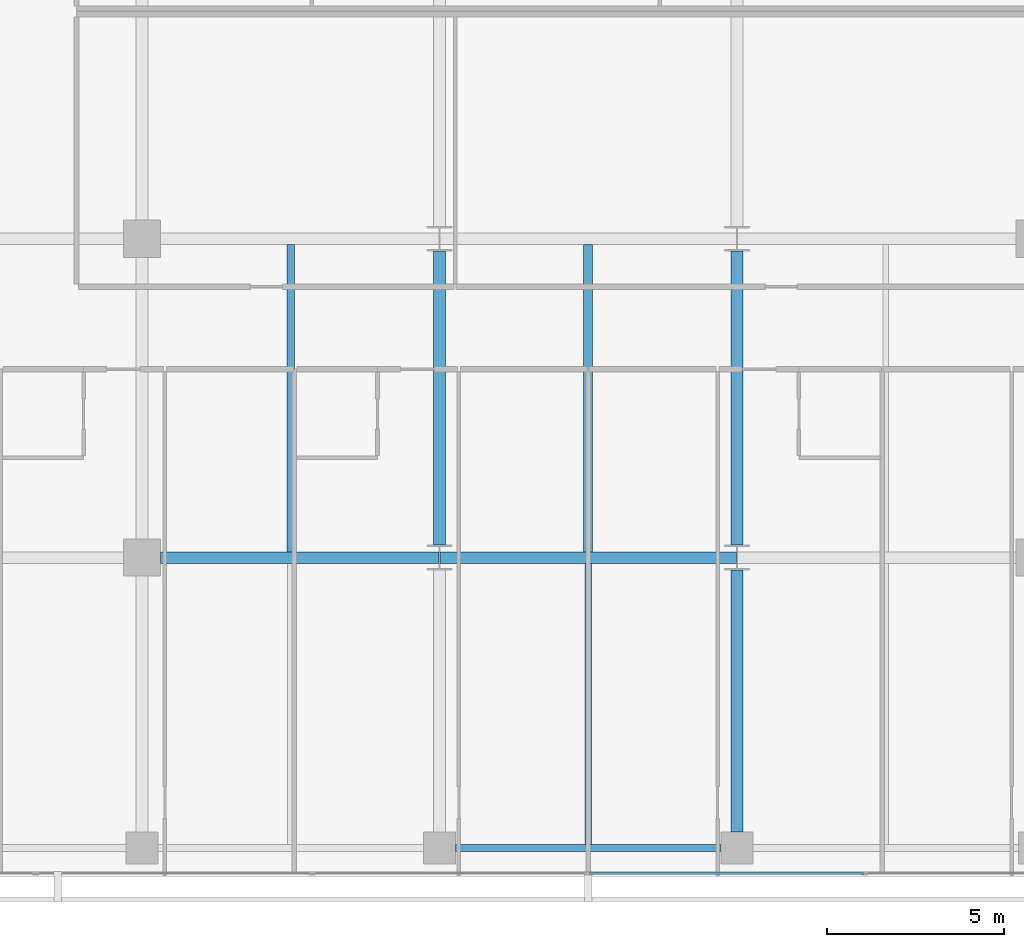
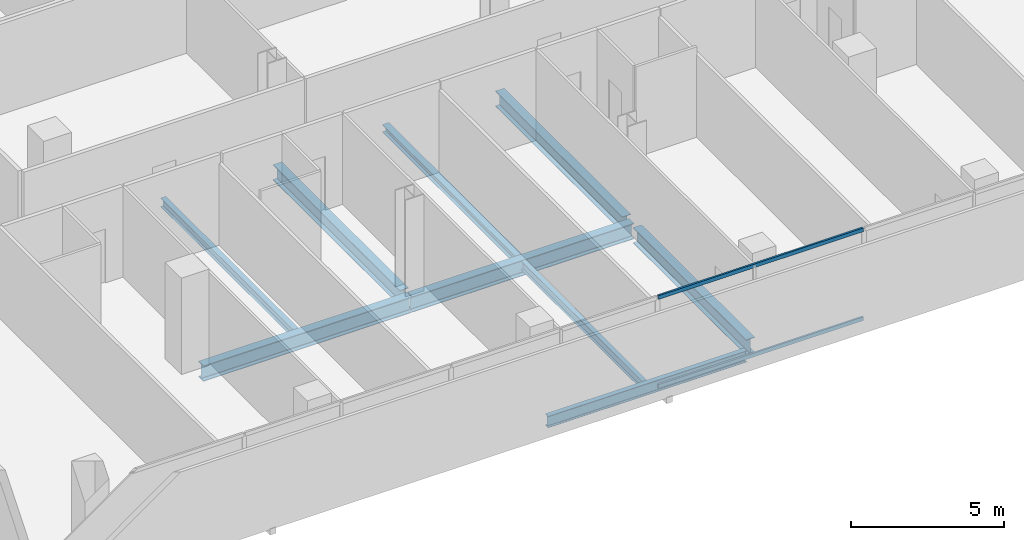
# One storey, part 9 of 39: 9 beams, 2 members, 1 element without a shape of its own.
"""IFC4 building model written with IfcOpenShell, lengths in metres."""

from ifc_helpers import new_model, si_unit, direction, frame, origin, origin_2d, place, context, subcontext, project, spatial, hollow_rectangle, i_section, extrude, material, layer, layer_set, material_profile, profile_set, type_object, element, aggregate, save


model = new_model("IFC4")

# Units and contexts
model_context = context("Model", 3, precision=1e-05, world=origin(), true_north=direction((0.0, 1.0)))
body_context = subcontext(model_context, "Body", "Model", "MODEL_VIEW")
ifc_project = project(units=[si_unit("LENGTHUNIT", "METRE"), si_unit("AREAUNIT", "SQUARE_METRE"), si_unit("VOLUMEUNIT", "CUBIC_METRE"), si_unit("PLANEANGLEUNIT", "RADIAN"), si_unit("MASSUNIT", "GRAM", prefix="KILO")], contexts=[model_context])

# Site, building, storey
site_placement = place(None, origin())
site = spatial("IfcSite", under=ifc_project, at=site_placement, CompositionType="ELEMENT")
building_placement = place(site_placement, origin())
building = spatial("IfcBuilding", under=site, at=building_placement, Name="Maruvema Waterfront Hotel and Observation Tower", CompositionType="ELEMENT")
storey_placement = place(building_placement, frame((0.0, 0.0, 46.199951171875)))
storey = spatial("IfcBuildingStorey", under=building, at=storey_placement, Name="L10", CompositionType="ELEMENT", Elevation=46.199951171875)

# Curtain wall, members
ifc_material_1 = material(Name="Anodised bronze aluminium and solar-control low-E IGU", Category="aluminium")
ifc_layer = layer(ifc_material_1, 0.159912109375, Name="Zone 1 Bronze Inner Thermal Curtain Wall System CW-02")
ifc_layer_set = layer_set([ifc_layer], Name="Anodised bronze aluminium and solar-control low-E IGU")
curtain_wall_type = type_object("IfcCurtainWallType", Name="Zone 1 Bronze Inner Thermal Curtain Wall System CW-02", PredefinedType="USERDEFINED", material=ifc_layer_set)
curtain_wall_placement = place(storey_placement, origin())
curtain_wall = element("IfcCurtainWall", 1, at=curtain_wall_placement, inside=storey, type_object=curtain_wall_type, Name="L10 Curtain Wall CW-L10-S", ObjectType="UNITISED CURTAIN WALL", PredefinedType="USERDEFINED")
ifc_material_2 = material(Name="Anodised architectural bronze aluminium", Category="aluminium")
ifc_material_profile_1 = material_profile(ifc_material_2, hollow_rectangle(XDim=0.070068359375, YDim=0.14990234375, WallThickness=0.00390625, at=origin_2d()), Name="ALU-T70x150")
ifc_profile_set_1 = profile_set([ifc_material_profile_1], Name="Anodised architectural bronze aluminium")
member_type = type_object("IfcMemberType", Name="Curtain Wall Horizontal Transom ALU-T70x150", PredefinedType="USERDEFINED", material=ifc_profile_set_1)
member_1_placement = place(storey_placement, frame((37.830078125, 0.080078125, 0.030029296875), z_axis=(1.0, 0.0, 0.0), x_axis=(0.0, 1.0, 0.0)))
member_1 = element("IfcMember", 2, at=member_1_placement, type_object=member_type, Name="CW-02 transom 4.1", ObjectType="TRANSOM", PredefinedType="USERDEFINED", context=body_context, shape_type="SweptSolid", body=[
    extrude(hollow_rectangle(XDim=0.070068359375, YDim=0.14990234375, WallThickness=0.00390625, at=origin_2d()), origin(), (0.0, 0.0, 1.0), 7.739990234375),
])
member_2_placement = place(storey_placement, frame((37.830078125, 0.080078125, 3.580078125), z_axis=(1.0, 0.0, 0.0), x_axis=(0.0, 1.0, 0.0)))
member_2 = element("IfcMember", 3, at=member_2_placement, type_object=member_type, Name="CW-02 transom 4.2", ObjectType="TRANSOM", PredefinedType="USERDEFINED", context=body_context, shape_type="SweptSolid", body=[
    extrude(hollow_rectangle(XDim=0.070068359375, YDim=0.14990234375, WallThickness=0.00390625, at=origin_2d()), origin(), (0.0, 0.0, 1.0), 7.739990234375),
])
aggregate(curtain_wall, [member_1, member_2])

# Beams
ifc_material_3 = material(Name="Steel ASTM A572 Grade 50", Category="steel")
ifc_material_profile_2 = material_profile(ifc_material_3, i_section(OverallWidth=0.18994140625, OverallDepth=0.45703125, WebThickness=0.009033203125, FlangeThickness=0.014404296875, FilletRadius=0.014892578125, at=origin_2d()), Name="W460x74.0")
ifc_profile_set_2 = profile_set([ifc_material_profile_2], Name="Steel ASTM A572 Grade 50")
beam_type_1 = type_object("IfcBeamType", Name="Perimeter Spandrel Beam W460x74.0", PredefinedType="SPANDREL", material=ifc_profile_set_2)
beam_1_placement = place(storey_placement, frame((34.050048828125, 0.800048828125, -0.468505859375), z_axis=(1.0, 0.0, 0.0), x_axis=(0.0, 1.0, 0.0)))
element("IfcBeam", 4, at=beam_1_placement, inside=storey, type_object=beam_type_1, Name="L10 Floor Girder EW-03", PredefinedType="SPANDREL", context=body_context, shape_type="SweptSolid", body=[
    extrude(i_section(OverallWidth=0.18994140625, OverallDepth=0.45703125, WebThickness=0.009033203125, FlangeThickness=0.014404296875, FilletRadius=0.014892578125, at=origin_2d()), origin(), (0.0, 0.0, 1.0), 7.5),
])
ifc_material_4 = material(Name="Steel ASTM A572 Grade 50", Category="steel")
ifc_material_profile_3 = material_profile(ifc_material_4, i_section(OverallWidth=0.326904296875, OverallDepth=0.6220703125, WebThickness=0.015380859375, FlangeThickness=0.0244140625, FilletRadius=0.01806640625, at=origin_2d()), Name="W610x195.0")
ifc_profile_set_3 = profile_set([ifc_material_profile_3], Name="Steel ASTM A572 Grade 50")
beam_type_2 = type_object("IfcBeamType", Name="Primary Floor Girder W610x195.0", PredefinedType="BEAM", material=ifc_profile_set_3)
beam_2_placement = place(storey_placement, frame((25.72509765625, 9.0, -0.551025390625), z_axis=(1.0, 0.0, 0.0), x_axis=(0.0, 1.0, 0.0)))
element("IfcBeam", 5, at=beam_2_placement, inside=storey, type_object=beam_type_2, Name="L10 Floor Girder EW-08", PredefinedType="BEAM", context=body_context, shape_type="SweptSolid", body=[
    extrude(i_section(OverallWidth=0.326904296875, OverallDepth=0.6220703125, WebThickness=0.015380859375, FlangeThickness=0.0244140625, FilletRadius=0.01806640625, at=origin_2d()), origin(), (0.0, 0.0, 1.0), 7.86083984375),
])
beam_3_placement = place(storey_placement, frame((33.614013671875, 9.0, -0.551025390625), z_axis=(1.0, 0.0, 0.0), x_axis=(0.0, 1.0, 0.0)))
element("IfcBeam", 6, at=beam_3_placement, inside=storey, type_object=beam_type_2, Name="L10 Floor Girder EW-09", PredefinedType="BEAM", context=body_context, shape_type="SweptSolid", body=[
    extrude(i_section(OverallWidth=0.326904296875, OverallDepth=0.6220703125, WebThickness=0.015380859375, FlangeThickness=0.0244140625, FilletRadius=0.01806640625, at=origin_2d()), origin(), (0.0, 0.0, 1.0), 8.3720703125),
])
beam_4_placement = place(storey_placement, frame((33.60009765625, 9.35009765625, -0.551025390625), z_axis=(0.0, 1.0, 0.0), x_axis=(-1.0, 0.0, 0.0)))
element("IfcBeam", 7, at=beam_4_placement, inside=storey, type_object=beam_type_2, Name="L10 Floor Girder NS-17", PredefinedType="BEAM", context=body_context, shape_type="SweptSolid", body=[
    extrude(i_section(OverallWidth=0.326904296875, OverallDepth=0.6220703125, WebThickness=0.015380859375, FlangeThickness=0.0244140625, FilletRadius=0.01806640625, at=origin_2d()), origin(), (0.0, 0.0, 1.0), 8.2998046875),
])
beam_5_placement = place(storey_placement, frame((42.0, 1.25, -0.551025390625), z_axis=(0.0, 1.0, 0.0), x_axis=(-1.0, 0.0, 0.0)))
element("IfcBeam", 8, at=beam_5_placement, inside=storey, type_object=beam_type_2, Name="L10 Floor Girder NS-19", PredefinedType="BEAM", context=body_context, shape_type="SweptSolid", body=[
    extrude(i_section(OverallWidth=0.326904296875, OverallDepth=0.6220703125, WebThickness=0.015380859375, FlangeThickness=0.0244140625, FilletRadius=0.01806640625, at=origin_2d()), origin(), (0.0, 0.0, 1.0), 7.39990234375),
])
beam_6_placement = place(storey_placement, frame((42.0, 9.35009765625, -0.551025390625), z_axis=(0.0, 1.0, 0.0), x_axis=(-1.0, 0.0, 0.0)))
element("IfcBeam", 9, at=beam_6_placement, inside=storey, type_object=beam_type_2, Name="L10 Floor Girder NS-20", PredefinedType="BEAM", context=body_context, shape_type="SweptSolid", body=[
    extrude(i_section(OverallWidth=0.326904296875, OverallDepth=0.6220703125, WebThickness=0.015380859375, FlangeThickness=0.0244140625, FilletRadius=0.01806640625, at=origin_2d()), origin(), (0.0, 0.0, 1.0), 8.2998046875),
])
ifc_material_5 = material(Name="Steel ASTM A572 Grade 50", Category="steel")
ifc_material_profile_4 = material_profile(ifc_material_5, i_section(OverallWidth=0.25390625, OverallDepth=0.305908203125, WebThickness=0.0087890625, FlangeThickness=0.0146484375, FilletRadius=0.014892578125, at=origin_2d()), Name="W310x79.0")
ifc_profile_set_4 = profile_set([ifc_material_profile_4], Name="Steel ASTM A572 Grade 50")
beam_type_3 = type_object("IfcBeamType", Name="Secondary Floor Joist W310x79.0", PredefinedType="JOIST", material=ifc_profile_set_4)
beam_7_placement = place(storey_placement, frame((37.800048828125, 9.16357421875, -0.39306640625), z_axis=(0.0, 1.0, 0.0), x_axis=(-1.0, 0.0, 0.0)))
element("IfcBeam", 10, at=beam_7_placement, inside=storey, type_object=beam_type_3, Name="L10 Secondary Floor Joist JS-13", PredefinedType="JOIST", context=body_context, shape_type="SweptSolid", body=[
    extrude(i_section(OverallWidth=0.25390625, OverallDepth=0.305908203125, WebThickness=0.0087890625, FlangeThickness=0.0146484375, FilletRadius=0.014892578125, at=origin_2d()), origin(), (0.0, 0.0, 1.0), 8.6728515625),
])
ifc_material_6 = material(Name="Steel ASTM A572 Grade 50", Category="steel")
ifc_material_profile_5 = material_profile(ifc_material_6, i_section(OverallWidth=0.1708984375, OverallDepth=0.35498046875, WebThickness=0.007080078125, FlangeThickness=0.01171875, FilletRadius=0.014892578125, at=origin_2d()), Name="W360x51.0")
ifc_profile_set_5 = profile_set([ifc_material_profile_5], Name="Steel ASTM A572 Grade 50")
beam_type_4 = type_object("IfcBeamType", Name="Secondary Floor Joist W360x51.0", PredefinedType="JOIST", material=ifc_profile_set_5)
beam_8_placement = place(storey_placement, frame((37.800048828125, 0.89501953125, -0.41748046875), z_axis=(0.0, 1.0, 0.0), x_axis=(-1.0, 0.0, 0.0)))
element("IfcBeam", 11, at=beam_8_placement, inside=storey, type_object=beam_type_4, Name="L10 Secondary Floor Joist JS-12", PredefinedType="JOIST", context=body_context, shape_type="SweptSolid", body=[
    extrude(i_section(OverallWidth=0.1708984375, OverallDepth=0.35498046875, WebThickness=0.007080078125, FlangeThickness=0.01171875, FilletRadius=0.014892578125, at=origin_2d()), origin(), (0.0, 0.0, 1.0), 7.94140625),
])
ifc_material_7 = material(Name="Steel ASTM A572 Grade 50", Category="steel")
ifc_material_profile_6 = material_profile(ifc_material_7, i_section(OverallWidth=0.202880859375, OverallDepth=0.346923828125, WebThickness=0.0078125, FlangeThickness=0.013427734375, FilletRadius=0.014892578125, at=origin_2d()), Name="W360x64.0")
ifc_profile_set_6 = profile_set([ifc_material_profile_6], Name="Steel ASTM A572 Grade 50")
beam_type_5 = type_object("IfcBeamType", Name="Secondary Floor Joist W360x64.0", PredefinedType="JOIST", material=ifc_profile_set_6)
beam_9_placement = place(storey_placement, frame((29.39990234375, 9.16357421875, -0.413330078125), z_axis=(0.0, 1.0, 0.0), x_axis=(-1.0, 0.0, 0.0)))
element("IfcBeam", 12, at=beam_9_placement, inside=storey, type_object=beam_type_5, Name="L10 Secondary Floor Joist JS-11", PredefinedType="JOIST", context=body_context, shape_type="SweptSolid", body=[
    extrude(i_section(OverallWidth=0.202880859375, OverallDepth=0.346923828125, WebThickness=0.0078125, FlangeThickness=0.013427734375, FilletRadius=0.014892578125, at=origin_2d()), origin(), (0.0, 0.0, 1.0), 8.6728515625),
])

save(model, "model.ifc")
